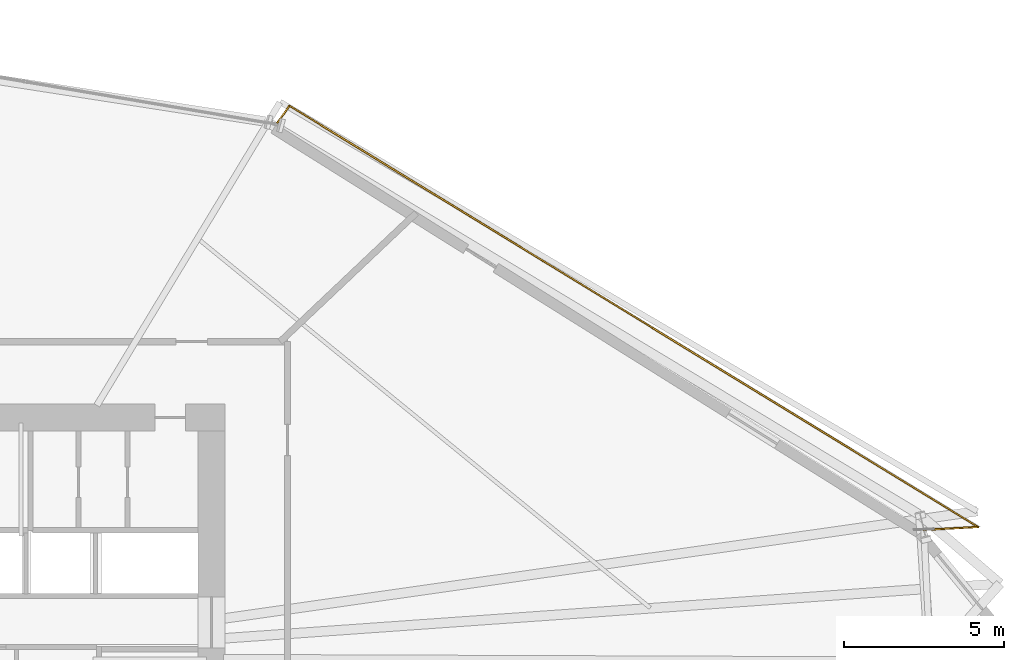
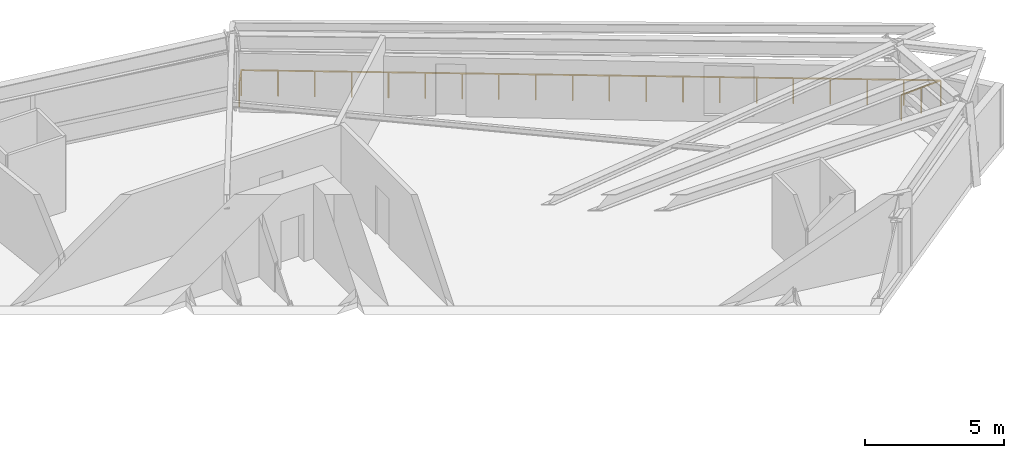
# One storey, part 21 of 21: 1 railing.
"""IFC4 building model written with IfcOpenShell, lengths in metres."""

import ifcopenshell
import ifcopenshell.guid

model = None  # the IFC model being written
_history = None  # IfcOwnerHistory: only IFC2X3 demands one
_inside = {}  # id of a spatial element -> (the spatial element, [elements in it])
_under = {}  # id of a project, library or spatial element -> (it, [spatial elements below it])
_declared = {}  # id of a project -> (the project, [libraries it declares])
_typed = {}  # id of a type object -> (the type object, [elements of that type])
_made_of = {}  # id of a material, layer set ... -> (it, [elements and type objects made of it])


def new_model(schema):
    """Start an empty IFC model of exactly this schema.

    Asked for "IFC4X3", IfcOpenShell would pick the latest addendum, in which some entities
    have other attributes; the version numbers below select the first issue.
    IFC2X3 requires an IfcOwnerHistory on every rooted entity: one is made here for all.
    """
    global model, _history
    if schema == "IFC4X3":
        model = ifcopenshell.file(schema_version=(4, 3, 0, 0))
    else:
        model = ifcopenshell.file(schema=schema)
    _inside.clear()
    _under.clear()
    _declared.clear()
    _typed.clear()
    _made_of.clear()
    _history = None
    if model.schema == "IFC2X3":
        org = make("IfcOrganization", Name="unknown")
        user = make(
            "IfcPersonAndOrganization",
            ThePerson=make("IfcPerson", FamilyName="unknown"),
            TheOrganization=org,
        )
        app = make(
            "IfcApplication",
            ApplicationDeveloper=org,
            Version="unknown",
            ApplicationFullName="unknown",
            ApplicationIdentifier="unknown",
        )
        _history = make(
            "IfcOwnerHistory",
            OwningUser=user,
            OwningApplication=app,
            ChangeAction="ADDED",
            CreationDate=0,
        )
    return model


def make(cls, **values):
    """One entity of the class cls with the attributes given. An attribute that is None is left unset."""
    return model.create_entity(
        cls, **{name: value for name, value in values.items() if value is not None}
    )


def rooted(cls, **values):
    """An entity with a GlobalId (a new one), such as an element, a storey or a relation."""
    return make(cls, GlobalId=ifcopenshell.guid.new(), OwnerHistory=_history, **values)


def si_unit(unit_type, name, prefix=None):
    """IfcSIUnit, for example si_unit("LENGTHUNIT", "METRE", prefix="MILLI")."""
    return make("IfcSIUnit", UnitType=unit_type, Prefix=prefix, Name=name)


def assignment(units):
    """IfcUnitAssignment: the units of a project."""
    return None if units is None else make("IfcUnitAssignment", Units=units)


def point(xyz):
    """IfcCartesianPoint."""
    return None if xyz is None else make("IfcCartesianPoint", Coordinates=xyz)


def direction(xyz):
    """IfcDirection."""
    return None if xyz is None else make("IfcDirection", DirectionRatios=xyz)


def frame(location, z_axis=None, x_axis=None):
    """IfcAxis2Placement3D, a coordinate frame: its origin and axes. An axis left out is left unset."""
    return make(
        "IfcAxis2Placement3D",
        Location=point(location),
        Axis=direction(z_axis),
        RefDirection=direction(x_axis),
    )


def frame_2d(location, x_axis=None):
    """IfcAxis2Placement2D, a coordinate frame in the plane: its origin and x axis."""
    return make(
        "IfcAxis2Placement2D", Location=point(location), RefDirection=direction(x_axis)
    )


def origin():
    """The frame at (0, 0, 0) with its axes left unset."""
    return frame((0.0, 0.0, 0.0))


def origin_2d():
    """The frame at (0, 0) in the plane with its x axis left unset."""
    return frame_2d((0.0, 0.0))


def place(relative_to, where):
    """IfcLocalPlacement: puts the frame where relative to a parent placement (None: the world)."""
    return make(
        "IfcLocalPlacement", PlacementRelTo=relative_to, RelativePlacement=where
    )


def context(
    kind, dimensions, precision=None, world=None, true_north=None, identifier=None
):
    """IfcGeometricRepresentationContext, for example the 3D "Model" context."""
    return make(
        "IfcGeometricRepresentationContext",
        ContextIdentifier=identifier,
        ContextType=kind,
        CoordinateSpaceDimension=dimensions,
        Precision=precision,
        WorldCoordinateSystem=world,
        TrueNorth=true_north,
    )


def subcontext(parent, identifier, kind, view, scale=None):
    """IfcGeometricRepresentationSubContext, for example "Body" below "Model"."""
    return make(
        "IfcGeometricRepresentationSubContext",
        ContextIdentifier=identifier,
        ContextType=kind,
        ParentContext=parent,
        TargetScale=scale,
        TargetView=view,
    )


def project(units=None, contexts=None):
    """IfcProject with its units and contexts."""
    return rooted(
        "IfcProject",
        Name="project",
        RepresentationContexts=contexts,
        UnitsInContext=assignment(units),
    )


def spatial(cls, under=None, at=None, **own):
    """A site, building, storey or space (cls), placed at a placement, below another one or the project."""
    s = rooted(cls, ObjectPlacement=at, **own)
    if under is not None:
        _under.setdefault(under.id(), (under, []))[1].append(s)
    return s


def profile(cls, at=None, kind="AREA", **sizes):
    """A parametric profile (cls). Its sizes go by their IFC names, for example OverallWidth=200.0."""
    return make(cls, ProfileType=kind, Position=at, **sizes)


def rectangle(**sizes):
    """IfcRectangleProfileDef."""
    return profile("IfcRectangleProfileDef", **sizes)


def extrude(swept, where, along, depth):
    """IfcExtrudedAreaSolid: the profile swept, set in the frame where, extruded along a direction by depth."""
    return make(
        "IfcExtrudedAreaSolid",
        SweptArea=swept,
        Position=where,
        ExtrudedDirection=direction(along),
        Depth=depth,
    )


def shape(context_of_items, identifier, shape_type, items):
    """IfcShapeRepresentation: the items that make up one representation, for example the "Body"."""
    return make(
        "IfcShapeRepresentation",
        ContextOfItems=context_of_items,
        RepresentationIdentifier=identifier,
        RepresentationType=shape_type,
        Items=items,
    )


def material(Name=None, Category=None):
    """IfcMaterial."""
    return make("IfcMaterial", Name=Name, Category=Category)


def made_of(thing, what):
    """Note that an element or type object is made of a material, layer set ...; save() writes the relation."""
    if what is not None:
        _made_of.setdefault(what.id(), (what, []))[1].append(thing)
    return thing


def type_object(cls, material=None, **own):
    """A type object (cls), such as IfcWallType, which elements share."""
    return made_of(rooted(cls, **own), material)


def element(
    cls,
    number,
    at=None,
    inside=None,
    cuts=None,
    type_object=None,
    material=None,
    context=None,
    identifier="Body",
    shape_type=None,
    held_by="IfcProductDefinitionShape",
    body=None,
    shapes=None,
    **own,
):
    """One element of the class cls, such as IfcWall. Its Tag is "e" and its number.

    at: its placement. inside: the storey or other place that contains it. cuts: it is an
    opening in that element (IfcRelVoidsElement). A single representation is given by context,
    identifier, shape_type and body (its items); several are given by shapes. held_by: the class
    of the entity that holds the representations. save() writes the other relations.
    """
    e = rooted(cls, Tag="e%d" % number, ObjectPlacement=at, **own)
    if body is not None:
        shapes = [shape(context, identifier, shape_type, body)]
    if shapes is not None:
        e.Representation = make(held_by, Representations=shapes)
    if inside is not None:
        _inside.setdefault(inside.id(), (inside, []))[1].append(e)
    if cuts is not None:
        rooted(
            "IfcRelVoidsElement", RelatingBuildingElement=cuts, RelatedOpeningElement=e
        )
    if type_object is not None:
        _typed.setdefault(type_object.id(), (type_object, []))[1].append(e)
    return made_of(e, material)


def aggregate(whole, parts):
    """IfcRelAggregates: a whole, such as a stair, and the parts it consists of."""
    return rooted("IfcRelAggregates", RelatingObject=whole, RelatedObjects=parts)


def save(model, path):
    """Write the relations noted so far, then the file.

    IfcRelAggregates (storeys below a building ...), IfcRelContainedInSpatialStructure (elements
    in a storey), IfcRelDefinesByType, IfcRelAssociatesMaterial and IfcRelDeclares: one each for
    every whole, place, type object, material and project.
    """
    for whole, parts in _under.values():
        aggregate(whole, parts)
    for where, things in _inside.values():
        rooted(
            "IfcRelContainedInSpatialStructure",
            RelatedElements=things,
            RelatingStructure=where,
        )
    for kind, things in _typed.values():
        rooted("IfcRelDefinesByType", RelatedObjects=things, RelatingType=kind)
    for what, things in _made_of.values():
        rooted("IfcRelAssociatesMaterial", RelatedObjects=things, RelatingMaterial=what)
    for by, libraries in _declared.values():
        rooted("IfcRelDeclares", RelatingContext=by, RelatedDefinitions=libraries)
    model.write(path)


model = new_model("IFC4")

# Units and contexts
model_context = context("Model", 3, precision=1e-05, world=origin(), true_north=direction((0.0, 1.0)))
body_context = subcontext(model_context, "Body", "Model", "MODEL_VIEW")
ifc_project = project(units=[si_unit("LENGTHUNIT", "METRE"), si_unit("AREAUNIT", "SQUARE_METRE"), si_unit("VOLUMEUNIT", "CUBIC_METRE"), si_unit("PLANEANGLEUNIT", "RADIAN"), si_unit("MASSUNIT", "GRAM", prefix="KILO")], contexts=[model_context])

# Site, building, storey
site_placement = place(None, origin())
site = spatial("IfcSite", under=ifc_project, at=site_placement, CompositionType="ELEMENT")
building_placement = place(site_placement, origin())
building = spatial("IfcBuilding", under=site, at=building_placement, Name="Olszyna Solenne Hotel", CompositionType="ELEMENT")
storey_placement = place(building_placement, frame((0.0, 0.0, 47.050048828125)))
storey = spatial("IfcBuildingStorey", under=building, at=storey_placement, Name="L11", CompositionType="ELEMENT", Elevation=47.050048828125)

# Railing
ifc_material = material(Name="Anodised bronze aluminium", Category="aluminium")
railing_type = type_object("IfcRailingType", Name="GR-110", PredefinedType="BALUSTRADE", material=ifc_material)
railing_placement = place(storey_placement, frame((68.605712890625, 30.613037109375, 0.0)))
element("IfcRailing", 1, at=railing_placement, inside=storey, type_object=railing_type, Name="Loggia balcony balustrade guard GR-L11-LG1", PredefinedType="BALUSTRADE", context=body_context, shape_type="SweptSolid", body=[
    extrude(rectangle(XDim=0.048095703125, YDim=0.048095703125, at=origin_2d()), frame((0.0, 0.0, 1.1259765625), z_axis=(0.998519272732, 0.054399099107, 0.0), x_axis=(-0.054399099107, 0.998519272732, 0.0)), (0.0, 0.0, 1.0), 1.69189453125),
    extrude(rectangle(XDim=0.048095703125, YDim=0.048095703125, at=origin_2d()), frame((1.689453125, 0.092041015625, 1.1259765625), z_axis=(-0.853043894211, 0.521839165404, 0.0), x_axis=(-0.521839165404, -0.853043894211, 0.0)), (0.0, 0.0, 1.0), 25.245849609375),
    extrude(rectangle(XDim=0.048095703125, YDim=0.048095703125, at=origin_2d()), frame((-19.846435546875, 13.266357421875, 1.1259765625), z_axis=(-0.575493406175, -0.817806419301, 0.0), x_axis=(0.817806419301, -0.575493406175, 0.0)), (0.0, 0.0, 1.0), 0.709228515625),
    extrude(rectangle(XDim=0.0419921875, YDim=0.0419921875, at=origin_2d()), origin(), (0.0, 0.0, 1.0), 1.101806640625),
    extrude(rectangle(XDim=0.0419921875, YDim=0.0419921875, at=origin_2d()), frame((0.8447265625, 0.0458984375, 0.0)), (0.0, 0.0, 1.0), 1.101806640625),
    extrude(rectangle(XDim=0.0419921875, YDim=0.0419921875, at=origin_2d()), frame((1.689453125, 0.092041015625, 0.0)), (0.0, 0.0, 1.0), 1.101806640625),
    extrude(rectangle(XDim=0.0419921875, YDim=0.0419921875, at=origin_2d()), frame((0.555908203125, 0.785400390625, 0.0)), (0.0, 0.0, 1.0), 1.101806640625),
    extrude(rectangle(XDim=0.0419921875, YDim=0.0419921875, at=origin_2d()), frame((-0.577392578125, 1.478759765625, 0.0)), (0.0, 0.0, 1.0), 1.101806640625),
    extrude(rectangle(XDim=0.0419921875, YDim=0.0419921875, at=origin_2d()), frame((-1.7109375, 2.172119140625, 0.0)), (0.0, 0.0, 1.0), 1.101806640625),
    extrude(rectangle(XDim=0.0419921875, YDim=0.0419921875, at=origin_2d()), frame((-2.844482421875, 2.865478515625, 0.0)), (0.0, 0.0, 1.0), 1.101806640625),
    extrude(rectangle(XDim=0.0419921875, YDim=0.0419921875, at=origin_2d()), frame((-3.977783203125, 3.55908203125, 0.0)), (0.0, 0.0, 1.0), 1.101806640625),
    extrude(rectangle(XDim=0.0419921875, YDim=0.0419921875, at=origin_2d()), frame((-5.111328125, 4.25244140625, 0.0)), (0.0, 0.0, 1.0), 1.101806640625),
    extrude(rectangle(XDim=0.0419921875, YDim=0.0419921875, at=origin_2d()), frame((-6.244873046875, 4.94580078125, 0.0)), (0.0, 0.0, 1.0), 1.101806640625),
    extrude(rectangle(XDim=0.0419921875, YDim=0.0419921875, at=origin_2d()), frame((-7.378173828125, 5.63916015625, 0.0)), (0.0, 0.0, 1.0), 1.101806640625),
    extrude(rectangle(XDim=0.0419921875, YDim=0.0419921875, at=origin_2d()), frame((-8.51171875, 6.33251953125, 0.0)), (0.0, 0.0, 1.0), 1.101806640625),
    extrude(rectangle(XDim=0.0419921875, YDim=0.0419921875, at=origin_2d()), frame((-9.645263671875, 7.02587890625, 0.0)), (0.0, 0.0, 1.0), 1.101806640625),
    extrude(rectangle(XDim=0.0419921875, YDim=0.0419921875, at=origin_2d()), frame((-10.77880859375, 7.71923828125, 0.0)), (0.0, 0.0, 1.0), 1.101806640625),
    extrude(rectangle(XDim=0.0419921875, YDim=0.0419921875, at=origin_2d()), frame((-11.912109375, 8.41259765625, 0.0)), (0.0, 0.0, 1.0), 1.101806640625),
    extrude(rectangle(XDim=0.0419921875, YDim=0.0419921875, at=origin_2d()), frame((-13.045654296875, 9.10595703125, 0.0)), (0.0, 0.0, 1.0), 1.101806640625),
    extrude(rectangle(XDim=0.0419921875, YDim=0.0419921875, at=origin_2d()), frame((-14.17919921875, 9.79931640625, 0.0)), (0.0, 0.0, 1.0), 1.101806640625),
    extrude(rectangle(XDim=0.0419921875, YDim=0.0419921875, at=origin_2d()), frame((-15.3125, 10.492919921875, 0.0)), (0.0, 0.0, 1.0), 1.101806640625),
    extrude(rectangle(XDim=0.0419921875, YDim=0.0419921875, at=origin_2d()), frame((-16.446044921875, 11.186279296875, 0.0)), (0.0, 0.0, 1.0), 1.101806640625),
    extrude(rectangle(XDim=0.0419921875, YDim=0.0419921875, at=origin_2d()), frame((-17.57958984375, 11.879638671875, 0.0)), (0.0, 0.0, 1.0), 1.101806640625),
    extrude(rectangle(XDim=0.0419921875, YDim=0.0419921875, at=origin_2d()), frame((-18.712890625, 12.572998046875, 0.0)), (0.0, 0.0, 1.0), 1.101806640625),
    extrude(rectangle(XDim=0.0419921875, YDim=0.0419921875, at=origin_2d()), frame((-19.846435546875, 13.266357421875, 0.0)), (0.0, 0.0, 1.0), 1.101806640625),
    extrude(rectangle(XDim=0.0419921875, YDim=0.0419921875, at=origin_2d()), frame((-20.254638671875, 12.686279296875, 0.0)), (0.0, 0.0, 1.0), 1.101806640625),
])

save(model, "model.ifc")
